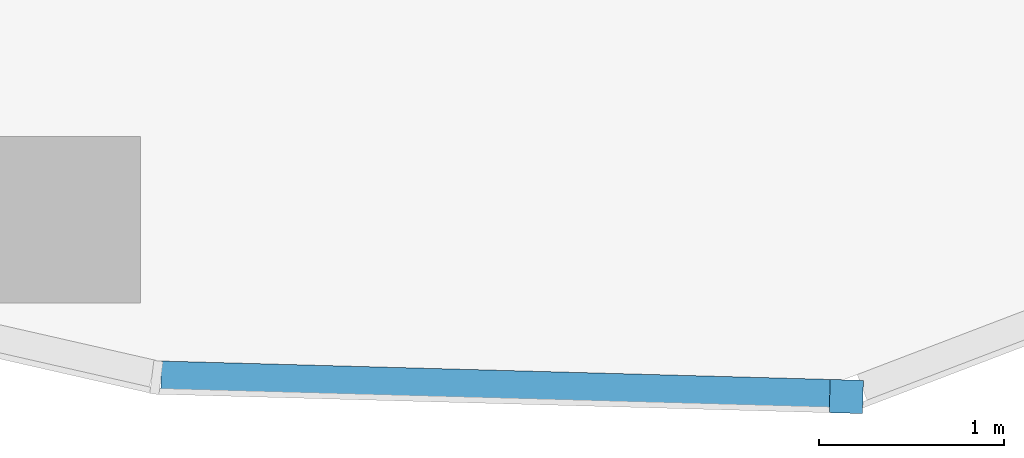
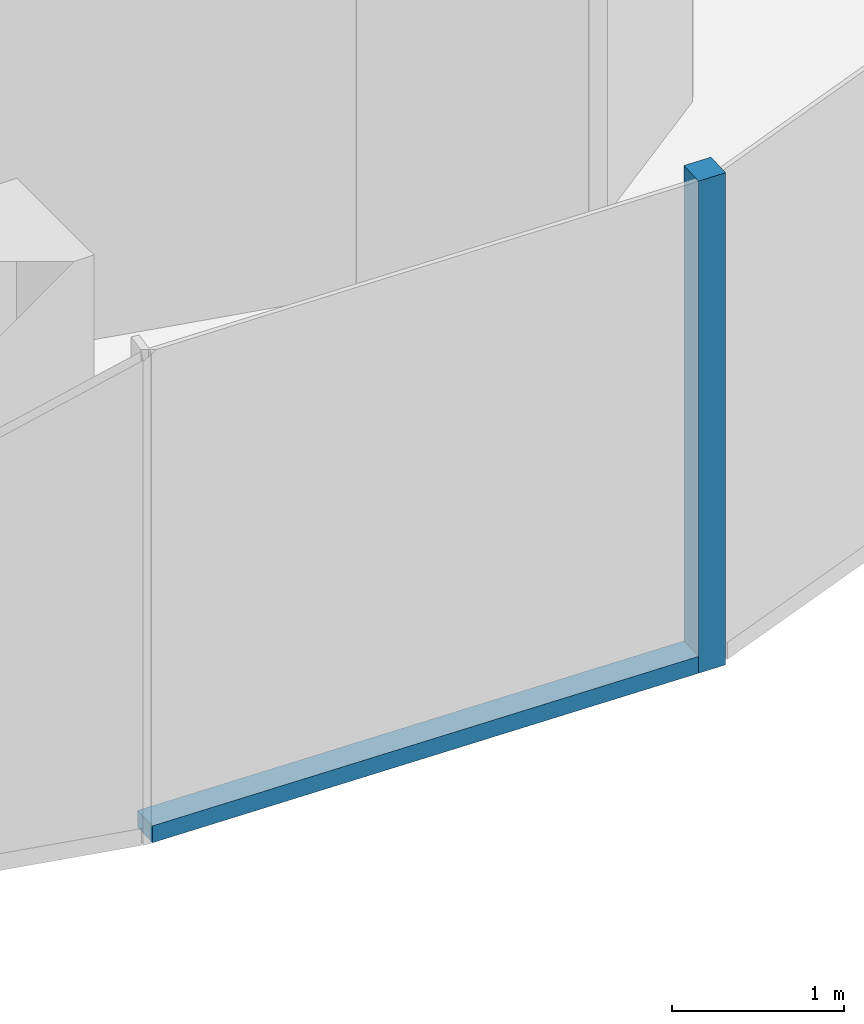
# One storey, part 3 of 23: 2 members, 1 element without a shape of its own.
"""IFC4 building model written with IfcOpenShell, lengths in metres."""

from ifc_helpers import new_model, si_unit, direction, frame, origin, origin_2d, place, context, subcontext, project, spatial, rectangle, extrude, material, material_profile, profile_set, type_object, element, aggregate, save


model = new_model("IFC4")

# Units and contexts
model_context = context("Model", 3, precision=1e-05, world=origin(), true_north=direction((0.0, 1.0)))
body_context = subcontext(model_context, "Body", "Model", "MODEL_VIEW")
ifc_project = project(units=[si_unit("LENGTHUNIT", "METRE"), si_unit("AREAUNIT", "SQUARE_METRE"), si_unit("VOLUMEUNIT", "CUBIC_METRE"), si_unit("PLANEANGLEUNIT", "RADIAN"), si_unit("MASSUNIT", "GRAM", prefix="KILO")], contexts=[model_context])

# Site, building, storey
site_placement = place(None, origin())
site = spatial("IfcSite", under=ifc_project, at=site_placement, CompositionType="ELEMENT")
building_placement = place(site_placement, origin())
building = spatial("IfcBuilding", under=site, at=building_placement, Name="Orlundy Tower", CompositionType="ELEMENT")
storey_placement = place(building_placement, frame((0.0, 0.0, 181.10009765625)))
storey = spatial("IfcBuildingStorey", under=building, at=storey_placement, Name="L47", CompositionType="ELEMENT", Elevation=181.10009765625)

# Curtain wall, members
ifc_material_1 = material(Name="Aluminium bronze anodised", Category="aluminium")
curtain_wall_type = type_object("IfcCurtainWallType", Name="CW1 wall", PredefinedType="NOTDEFINED", material=ifc_material_1)
curtain_wall_placement = place(storey_placement, origin())
curtain_wall = element("IfcCurtainWall", 1, at=curtain_wall_placement, inside=storey, type_object=curtain_wall_type, Name="CW1 run 022", PredefinedType="NOTDEFINED")
ifc_material_2 = material(Name="Aluminium bronze anodised", Category="aluminium")
ifc_material_profile_1 = material_profile(ifc_material_2, rectangle(XDim=0.179931640625, YDim=0.179931640625, at=origin_2d()), Name="CW1 corner post 180x180")
ifc_profile_set_1 = profile_set([ifc_material_profile_1], Name="Aluminium bronze anodised")
member_type_1 = type_object("IfcMemberType", Name="CW1 corner post 180x180", PredefinedType="MULLION", material=ifc_profile_set_1)
member_1_placement = place(storey_placement, frame((0.5205078125, -61.513427734375, -0.420166015625), z_axis=(0.0, 0.0, 1.0), x_axis=(-0.02751993738, -0.999621254799, 0.0)))
member_1 = element("IfcMember", 2, at=member_1_placement, type_object=member_type_1, Name="CW1 mullion 52", PredefinedType="MULLION", context=body_context, shape_type="SweptSolid", body=[
    extrude(rectangle(XDim=0.179931640625, YDim=0.179931640625, at=origin_2d()), origin(), (0.0, 0.0, 1.0), 3.5),
])
ifc_material_3 = material(Name="Aluminium bronze anodised", Category="aluminium")
ifc_material_profile_2 = material_profile(ifc_material_3, rectangle(XDim=0.179931640625, YDim=0.1201171875, at=origin_2d()), Name="CW1 transom 180x120")
ifc_profile_set_2 = profile_set([ifc_material_profile_2], Name="Aluminium bronze anodised")
member_type_2 = type_object("IfcMemberType", Name="CW1 transom 180x120", PredefinedType="USERDEFINED", material=ifc_profile_set_2)
member_2_placement = place(storey_placement, frame((0.430419921875, -61.510986328125, -0.360107421875), z_axis=(-0.999620948111, 0.02753107512, 0.0), x_axis=(-0.02753107512, -0.999620948111, 0.0)))
member_2 = element("IfcMember", 3, at=member_2_placement, type_object=member_type_2, Name="CW1 transom", ObjectType="TRANSOM", PredefinedType="USERDEFINED", context=body_context, shape_type="SweptSolid", body=[
    extrude(rectangle(XDim=0.179931640625, YDim=0.1201171875, at=origin_2d()), origin(), (0.0, 0.0, 1.0), 3.6181640625),
])
aggregate(curtain_wall, [member_1, member_2])

save(model, "model.ifc")
